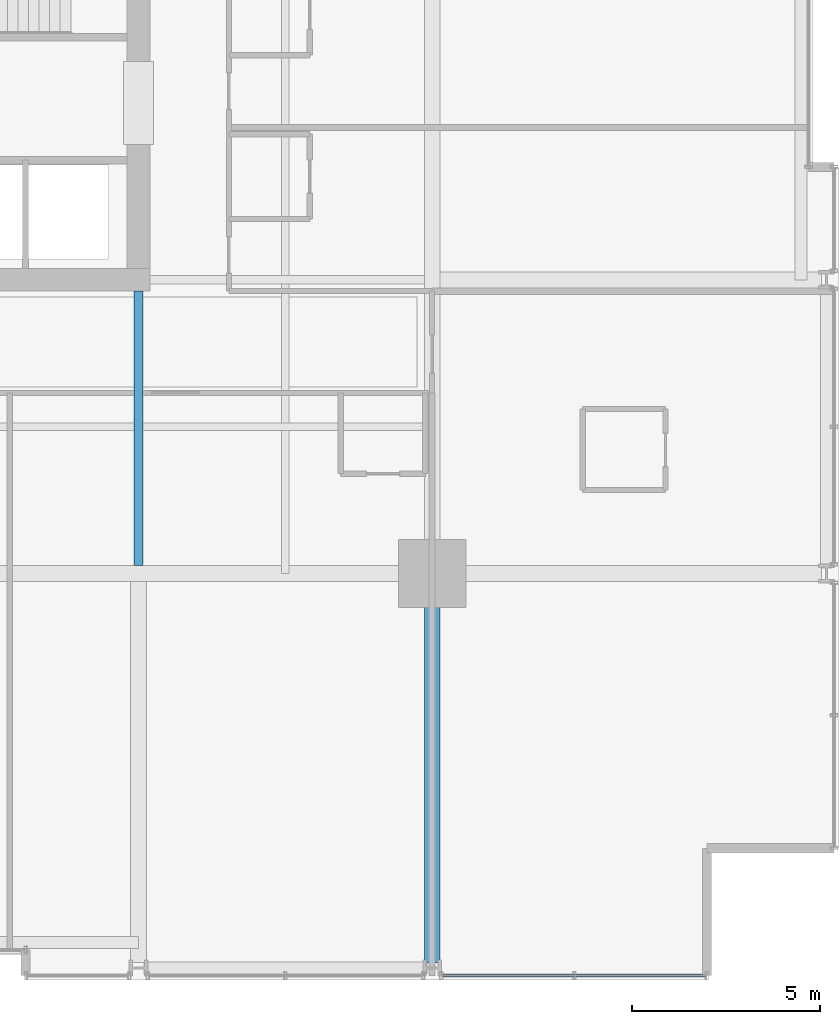
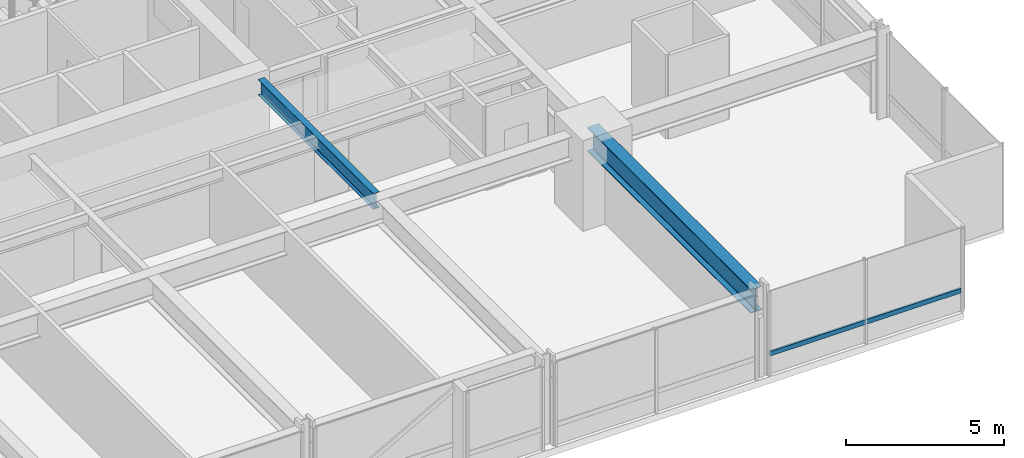
# One storey, part 12 of 38: 2 beams, 1 member, 1 element without a shape of its own.
"""IFC4 building model written with IfcOpenShell, lengths in metres."""

from ifc_helpers import new_model, si_unit, direction, frame, origin, origin_2d, place, context, subcontext, project, spatial, hollow_rectangle, i_section, extrude, material, layer, layer_set, material_profile, profile_set, type_object, element, aggregate, save


model = new_model("IFC4")

# Units and contexts
model_context = context("Model", 3, precision=1e-05, world=origin(), true_north=direction((0.0, 1.0)))
body_context = subcontext(model_context, "Body", "Model", "MODEL_VIEW")
ifc_project = project(units=[si_unit("LENGTHUNIT", "METRE"), si_unit("AREAUNIT", "SQUARE_METRE"), si_unit("VOLUMEUNIT", "CUBIC_METRE"), si_unit("PLANEANGLEUNIT", "RADIAN"), si_unit("MASSUNIT", "GRAM", prefix="KILO")], contexts=[model_context])

# Site, building, storey
site_placement = place(None, origin())
site = spatial("IfcSite", under=ifc_project, at=site_placement, CompositionType="ELEMENT")
building_placement = place(site_placement, origin())
building = spatial("IfcBuilding", under=site, at=building_placement, Name="Drelvath Grand Hotel", CompositionType="ELEMENT")
storey_placement = place(building_placement, frame((0.0, 0.0, 50.699951171875)))
storey = spatial("IfcBuildingStorey", under=building, at=storey_placement, Name="L11", CompositionType="ELEMENT", Elevation=50.699951171875)

# Curtain wall, member
ifc_material_1 = material(Name="Warm Bronze Anodised Aluminium Frame", Category="aluminium")
ifc_layer = layer(ifc_material_1, 0.199951171875)
ifc_layer_set = layer_set([ifc_layer], Name="Warm Bronze Anodised Aluminium Frame")
curtain_wall_type = type_object("IfcCurtainWallType", Name="Stick Curtain Wall CW-02 Warm Bronze Low-Rise", PredefinedType="NOTDEFINED", material=ifc_layer_set)
curtain_wall_placement = place(storey_placement, origin())
curtain_wall = element("IfcCurtainWall", 1, at=curtain_wall_placement, inside=storey, type_object=curtain_wall_type, Name="L11 CW-02 Curtain Wall CW02-L11-SE3", PredefinedType="NOTDEFINED")
ifc_material_profile_1 = material_profile(ifc_material_1, hollow_rectangle(XDim=0.074951171875, YDim=0.179931640625, WallThickness=0.0048828125, at=origin_2d()), Name="HSS180X75X5")
ifc_profile_set_1 = profile_set([ifc_material_profile_1], Name="Warm Bronze Anodised Aluminium Frame")
member_type = type_object("IfcMemberType", Name="Curtain Wall Horizontal Transom CW-02 HSS180X75X5", PredefinedType="USERDEFINED", material=ifc_profile_set_1)
member_placement = place(storey_placement, frame((23.4599609375, 0.1201171875, 0.81005859375), z_axis=(-1.0, 0.0, 0.0), x_axis=(0.0, -1.0, 0.0)))
member = element("IfcMember", 2, at=member_placement, type_object=member_type, Name="CW02-L11-SE3 Sill Transom", ObjectType="TRANSOM", PredefinedType="USERDEFINED", context=body_context, shape_type="SweptSolid", body=[
    extrude(hollow_rectangle(XDim=0.074951171875, YDim=0.179931640625, WallThickness=0.0048828125, at=origin_2d()), origin(), (0.0, 0.0, 1.0), 6.97900390625),
])
aggregate(curtain_wall, [member])

# Beams
ifc_material_2 = material(Name="Steel ASTM A992 Gr 50", Category="steel")
ifc_material_profile_2 = material_profile(ifc_material_2, i_section(OverallWidth=0.228271484375, OverallDepth=0.607666015625, WebThickness=0.01123046875, FlangeThickness=0.017333984375, FilletRadius=0.02001953125, at=origin_2d()), Name="W24X76")
ifc_profile_set_2 = profile_set([ifc_material_profile_2], Name="Steel ASTM A992 Gr 50")
beam_type_1 = type_object("IfcBeamType", Name="Primary Floor Girder W24X76", PredefinedType="BEAM", material=ifc_profile_set_2)
beam_1_placement = place(storey_placement, frame((8.39990234375, 11.00927734375, 2.936279296875), z_axis=(0.0, 1.0, 0.0), x_axis=(-1.0, 0.0, 0.0)))
element("IfcBeam", 3, at=beam_1_placement, inside=storey, type_object=beam_type_1, Name="L11 South Core Tie 6", PredefinedType="BEAM", context=body_context, shape_type="SweptSolid", body=[
    extrude(i_section(OverallWidth=0.228271484375, OverallDepth=0.607666015625, WebThickness=0.01123046875, FlangeThickness=0.017333984375, FilletRadius=0.02001953125, at=origin_2d()), origin(), (0.0, 0.0, 1.0), 7.290771484375),
])
ifc_material_profile_3 = material_profile(ifc_material_2, i_section(OverallWidth=0.418212890625, OverallDepth=0.926513671875, WebThickness=0.019287109375, FlangeThickness=0.031982421875, FilletRadius=0.028076171875, at=origin_2d()), Name="W36X231")
ifc_profile_set_3 = profile_set([ifc_material_profile_3], Name="Steel ASTM A992 Gr 50")
beam_type_2 = type_object("IfcBeamType", Name="Primary Floor Girder W36X231", PredefinedType="BEAM", material=ifc_profile_set_3)
beam_2_placement = place(storey_placement, frame((16.199951171875, 0.4599609375, 2.77685546875), z_axis=(0.0, 1.0, 0.0), x_axis=(-1.0, 0.0, 0.0)))
element("IfcBeam", 4, at=beam_2_placement, inside=storey, type_object=beam_type_2, Name="L11 South Grid Girder 7", PredefinedType="BEAM", context=body_context, shape_type="SweptSolid", body=[
    extrude(i_section(OverallWidth=0.418212890625, OverallDepth=0.926513671875, WebThickness=0.019287109375, FlangeThickness=0.031982421875, FilletRadius=0.028076171875, at=origin_2d()), origin(), (0.0, 0.0, 1.0), 10.340087890625),
])

save(model, "model.ifc")
